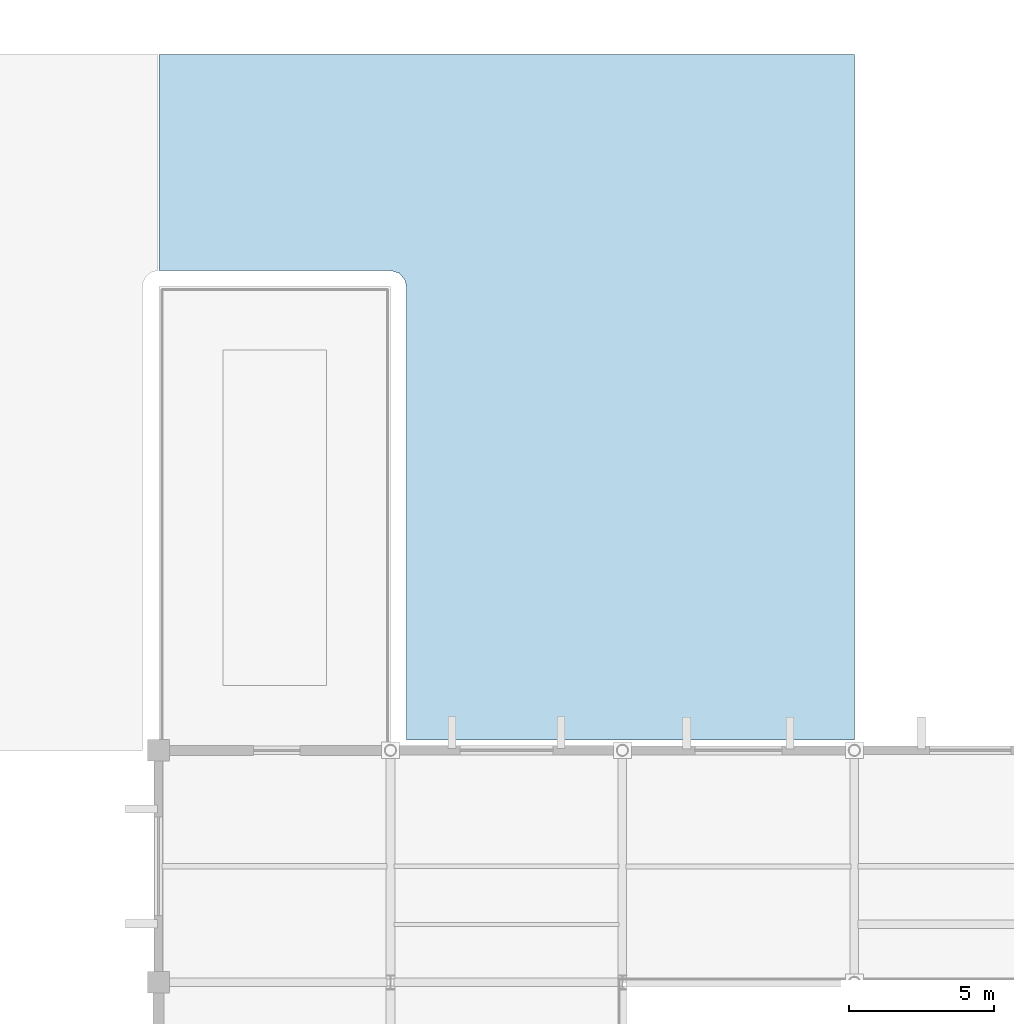
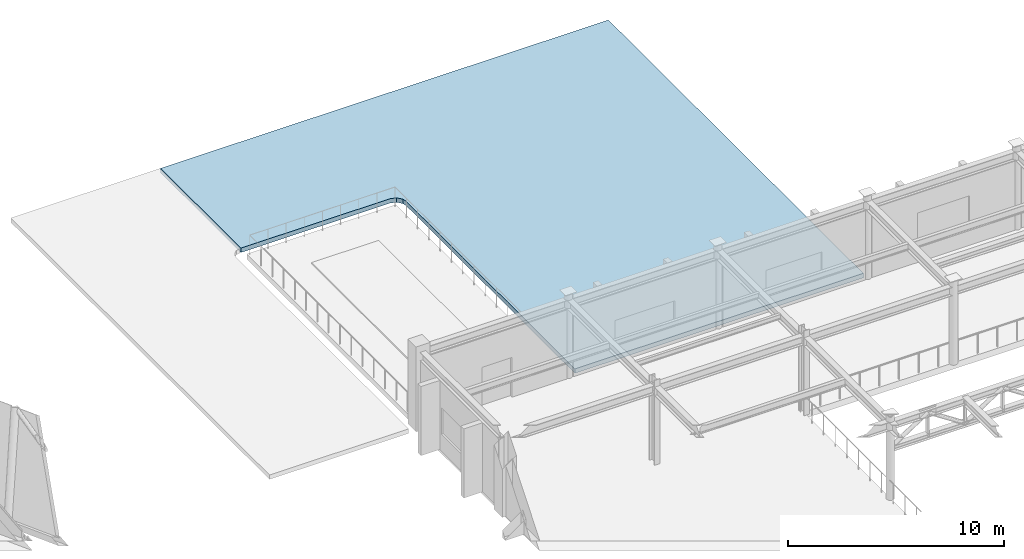
# One storey, part 20 of 46: 1 slab.
"""IFC4 building model written with IfcOpenShell, lengths in metres."""

from ifc_helpers import new_model, si_unit, direction, frame, origin, place, context, subcontext, project, spatial, polyline, outline, extrude, material, layer, layer_set, type_object, element, save


model = new_model("IFC4")

# Units and contexts
model_context = context("Model", 3, precision=1e-05, world=origin(), true_north=direction((0.0, 1.0)))
body_context = subcontext(model_context, "Body", "Model", "MODEL_VIEW")
ifc_project = project(units=[si_unit("LENGTHUNIT", "METRE"), si_unit("AREAUNIT", "SQUARE_METRE"), si_unit("VOLUMEUNIT", "CUBIC_METRE"), si_unit("PLANEANGLEUNIT", "RADIAN"), si_unit("MASSUNIT", "GRAM", prefix="KILO")], contexts=[model_context])

# Site, building, storey
site_placement = place(None, origin())
site = spatial("IfcSite", under=ifc_project, at=site_placement, CompositionType="ELEMENT")
building_placement = place(site_placement, origin())
building = spatial("IfcBuilding", under=site, at=building_placement, Name="Tazarka Park Arena", CompositionType="ELEMENT")
storey_placement = place(building_placement, frame((0.0, 0.0, 10.199951171875)))
storey = spatial("IfcBuildingStorey", under=building, at=storey_placement, Name="L02", CompositionType="ELEMENT", Elevation=10.199951171875)

# Slab
ifc_material = material(Name="Concrete C35/45", Category="concrete")
ifc_layer = layer(ifc_material, 0.25, Name="Concrete C35/45")
ifc_layer_set = layer_set([ifc_layer], Name="Concrete C35/45")
slab_type = type_object("IfcSlabType", Name="SLB-RS-03", PredefinedType="ROOF", material=ifc_layer_set)
slab_placement = place(storey_placement, frame((0.0, 0.0, -0.25)))
element("IfcSlab", 1, at=slab_placement, inside=storey, type_object=slab_type, Name="WROOF-L02-07", PredefinedType="ROOF", context=body_context, shape_type="SweptSolid", body=[
    extrude(outline(polyline([(160.0, 128.0), (160.0, 104.35009765625), (144.550048828125, 104.35009765625), (144.550048828125, 120.0), (144.508056640625, 120.21044921875), (144.3056640625, 120.457275390625), (144.0, 120.550048828125), (136.02001953125, 120.550048828125), (136.02001953125, 128.0), (160.0, 128.0)])), origin(), (0.0, 0.0, 1.0), 0.25),
])

save(model, "model.ifc")
